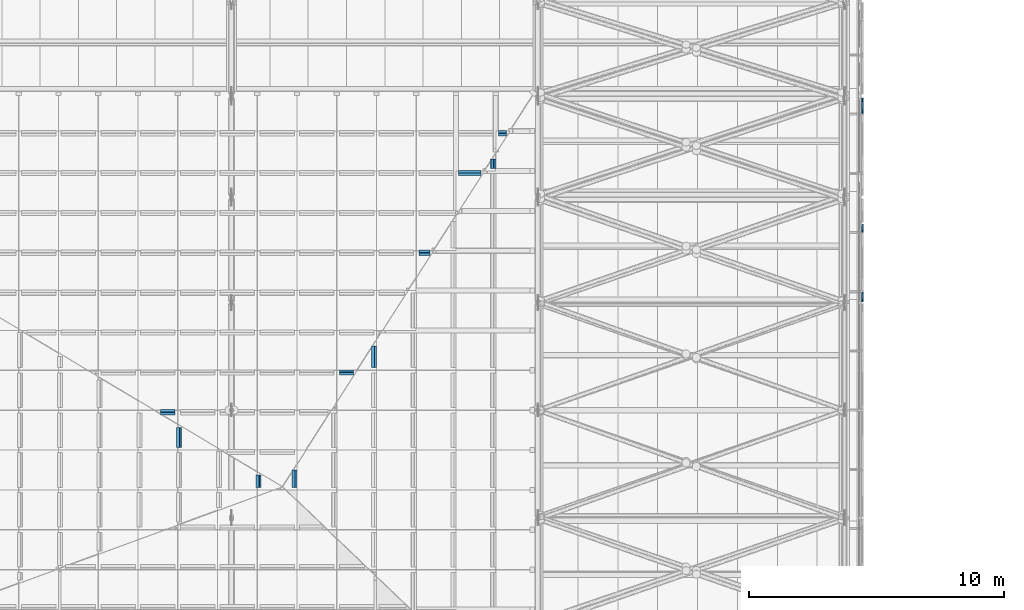
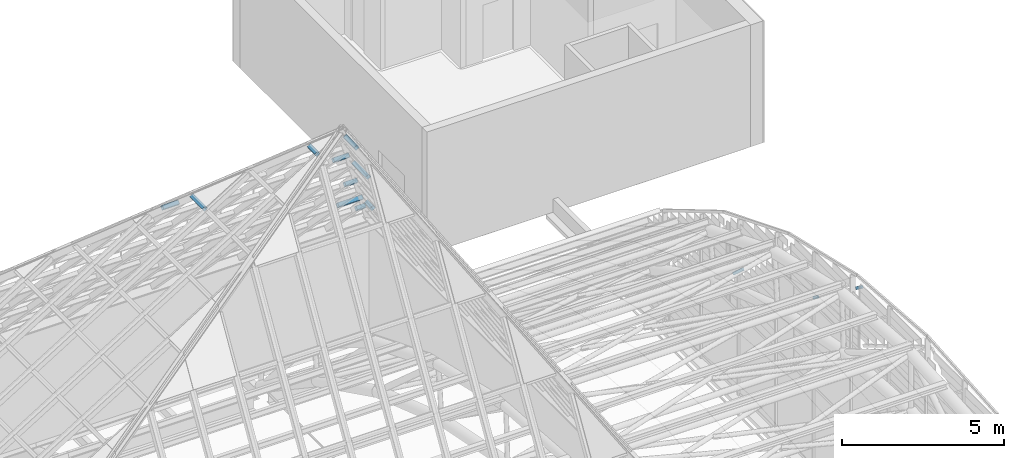
# One storey, part 49 of 110: 13 members, 1 element without a shape of its own.
"""IFC4 building model written with IfcOpenShell, lengths in metres."""

from ifc_helpers import new_model, si_unit, direction, frame, origin, origin_2d, place, context, subcontext, project, spatial, rectangle, hollow_rectangle, extrude, material, layer, layer_set, material_profile, profile_set, type_object, element, aggregate, save


model = new_model("IFC4")

# Units and contexts
model_context = context("Model", 3, precision=1e-05, world=origin(), true_north=direction((0.0, 1.0)))
body_context = subcontext(model_context, "Body", "Model", "MODEL_VIEW")
ifc_project = project(units=[si_unit("LENGTHUNIT", "METRE"), si_unit("AREAUNIT", "SQUARE_METRE"), si_unit("VOLUMEUNIT", "CUBIC_METRE"), si_unit("PLANEANGLEUNIT", "RADIAN"), si_unit("MASSUNIT", "GRAM", prefix="KILO")], contexts=[model_context])

# Site, building, storey
site_placement = place(None, origin())
site = spatial("IfcSite", under=ifc_project, at=site_placement, CompositionType="ELEMENT")
building_placement = place(site_placement, origin())
building = spatial("IfcBuilding", under=site, at=building_placement, Name="Windward Yard Aquatics Centre", CompositionType="ELEMENT")
storey_placement = place(building_placement, frame((0.0, 0.0, 22.60009765625)))
storey = spatial("IfcBuildingStorey", under=building, at=storey_placement, Name="L05", CompositionType="ELEMENT", Elevation=22.60009765625)

# Curtain wall, members
ifc_material_1 = material(Name="Glass and aluminium curtain wall", Category="aluminium")
ifc_layer = layer(ifc_material_1, 0.179931640625)
ifc_layer_set = layer_set([ifc_layer], Name="H gable glazing system double glazed 8+16+8")
curtain_wall_type = type_object("IfcCurtainWallType", Name="H gable glazing system double glazed 8+16+8", PredefinedType="NOTDEFINED", material=ifc_layer_set)
curtain_wall_placement = place(storey_placement, origin())
curtain_wall = element("IfcCurtainWall", 1, at=curtain_wall_placement, inside=storey, type_object=curtain_wall_type, Name="Gable glazing E", PredefinedType="NOTDEFINED")
ifc_material_2 = material(Name="Aluminium 6063-T6 anodised", Category="aluminium")
ifc_material_profile_1 = material_profile(ifc_material_2, rectangle(XDim=0.06494140625, YDim=0.10009765625, at=origin_2d()), Name="H CW transom 65x100")
ifc_profile_set_1 = profile_set([ifc_material_profile_1], Name="Aluminium 6063-T6 anodised")
member_type_1 = type_object("IfcMemberType", Name="H CW transom 65x100", PredefinedType="USERDEFINED", material=ifc_profile_set_1)
member_1_placement = place(storey_placement, frame((144.71240234375, 65.2685546875, 8.4697265625), z_axis=(0.0, 0.802362534733, -0.596836965055), x_axis=(-1.0, 0.0, 0.0)))
member_1 = element("IfcMember", 2, at=member_1_placement, type_object=member_type_1, Name="Gable cover strip 7.1", ObjectType="COVER STRIP", PredefinedType="USERDEFINED", context=body_context, shape_type="SweptSolid", body=[
    extrude(rectangle(XDim=0.06494140625, YDim=0.10009765625, at=origin_2d()), origin(), (0.0, 0.0, 1.0), 0.42041015625),
])
member_2_placement = place(storey_placement, frame((144.71240234375, 67.990234375, 6.445556640625), z_axis=(0.0, 0.802672555451, -0.596419960033), x_axis=(-1.0, 0.0, 0.0)))
member_2 = element("IfcMember", 3, at=member_2_placement, type_object=member_type_1, Name="Gable cover strip 7.3", ObjectType="COVER STRIP", PredefinedType="USERDEFINED", context=body_context, shape_type="SweptSolid", body=[
    extrude(rectangle(XDim=0.06494140625, YDim=0.10009765625, at=origin_2d()), origin(), (0.0, 0.0, 1.0), 0.327880859375),
])
member_3_placement = place(storey_placement, frame((144.71240234375, 72.628662109375, 4.670166015625), z_axis=(0.0, 0.748560831862, -0.663066121139), x_axis=(-1.0, 0.0, 0.0)))
member_3 = element("IfcMember", 4, at=member_3_placement, type_object=member_type_1, Name="Gable cover strip 8.3", ObjectType="COVER STRIP", PredefinedType="USERDEFINED", context=body_context, shape_type="SweptSolid", body=[
    extrude(rectangle(XDim=0.06494140625, YDim=0.10009765625, at=origin_2d()), origin(), (0.0, 0.0, 1.0), 0.759521484375),
])
aggregate(curtain_wall, [member_1, member_2, member_3])

# Members
ifc_material_3 = material(Name="Steel ASTM A500 Gr C", Category="steel")
ifc_material_profile_2 = material_profile(ifc_material_3, hollow_rectangle(XDim=0.15234375, YDim=0.15234375, WallThickness=0.009521484375, InnerFilletRadius=0.004638671875, OuterFilletRadius=0.01416015625, at=origin_2d()), Name="HSS152X152X9.5")
ifc_profile_set_2 = profile_set([ifc_material_profile_2], Name="Steel ASTM A500 Gr C")
member_type_2 = type_object("IfcMemberType", Name="H lantern purlin HSS152X152X9.5", PredefinedType="PURLIN", material=ifc_profile_set_2)
member_4_placement = place(storey_placement, frame((130.248046875, 70.828369140625, 13.350830078125), z_axis=(0.0, -1.0, 0.0), x_axis=(0.526172366974, 0.0, -0.850377939644)))
element("IfcMember", 5, at=member_4_placement, inside=storey, type_object=member_type_2, Name="H.LN.U.02.01.01", PredefinedType="PURLIN", context=body_context, shape_type="SweptSolid", body=[
    extrude(hollow_rectangle(XDim=0.15234375, YDim=0.15234375, WallThickness=0.009521484375, InnerFilletRadius=0.004638671875, OuterFilletRadius=0.01416015625, at=origin_2d()), origin(), (0.0, 0.0, 1.0), 0.359619140625),
])
member_5_placement = place(storey_placement, frame((125.57861328125, 63.5224609375, 20.897705078125), z_axis=(0.0, -1.0, 0.0), x_axis=(0.526172366974, 0.0, -0.850377939644)))
element("IfcMember", 6, at=member_5_placement, inside=storey, type_object=member_type_2, Name="H.LN.U.02.04.01", PredefinedType="PURLIN", context=body_context, shape_type="SweptSolid", body=[
    extrude(hollow_rectangle(XDim=0.15234375, YDim=0.15234375, WallThickness=0.009521484375, InnerFilletRadius=0.004638671875, OuterFilletRadius=0.01416015625, at=origin_2d()), origin(), (0.0, 0.0, 1.0), 0.859619140625),
])
member_6_placement = place(storey_placement, frame((122.465576171875, 58.651611328125, 25.9287109375), z_axis=(0.0, -1.0, 0.0), x_axis=(0.526172366974, 0.0, -0.850377939644)))
element("IfcMember", 7, at=member_6_placement, inside=storey, type_object=member_type_2, Name="H.LN.U.02.06.01", PredefinedType="PURLIN", context=body_context, shape_type="SweptSolid", body=[
    extrude(hollow_rectangle(XDim=0.15234375, YDim=0.15234375, WallThickness=0.009521484375, InnerFilletRadius=0.004638671875, OuterFilletRadius=0.01416015625, at=origin_2d()), origin(), (0.0, 0.0, 1.0), 0.67236328125),
])
member_7_placement = place(storey_placement, frame((130.445068359375, 71.84765625, 12.4287109375), z_axis=(1.0, 0.0, 0.0), x_axis=(0.0, 0.695550485066, -0.718477224917)))
element("IfcMember", 8, at=member_7_placement, inside=storey, type_object=member_type_2, Name="H.LN.U.03.01.22", PredefinedType="PURLIN", context=body_context, shape_type="SweptSolid", body=[
    extrude(hollow_rectangle(XDim=0.15234375, YDim=0.15234375, WallThickness=0.009521484375, InnerFilletRadius=0.004638671875, OuterFilletRadius=0.01416015625, at=origin_2d()), origin(), (0.0, 0.0, 1.0), 0.312744140625),
])
member_8_placement = place(storey_placement, frame((128.888671875, 70.28662109375, 14.04150390625), z_axis=(1.0, 0.0, 0.0), x_axis=(0.0, 0.695550485066, -0.718477224917)))
element("IfcMember", 9, at=member_8_placement, inside=storey, type_object=member_type_2, Name="H.LN.U.03.02.19", PredefinedType="PURLIN", context=body_context, shape_type="SweptSolid", body=[
    extrude(hollow_rectangle(XDim=0.15234375, YDim=0.15234375, WallThickness=0.009521484375, InnerFilletRadius=0.004638671875, OuterFilletRadius=0.01416015625, at=origin_2d()), origin(), (0.0, 0.0, 1.0), 0.871337890625),
])
member_9_placement = place(storey_placement, frame((127.33203125, 67.1640625, 17.266845703125), z_axis=(1.0, 0.0, 0.0), x_axis=(0.0, 0.695550485066, -0.718477224917)))
element("IfcMember", 10, at=member_9_placement, inside=storey, type_object=member_type_2, Name="H.LN.U.03.04.15", PredefinedType="PURLIN", context=body_context, shape_type="SweptSolid", body=[
    extrude(hollow_rectangle(XDim=0.15234375, YDim=0.15234375, WallThickness=0.009521484375, InnerFilletRadius=0.004638671875, OuterFilletRadius=0.01416015625, at=origin_2d()), origin(), (0.0, 0.0, 1.0), 0.432373046875),
])
member_10_placement = place(storey_placement, frame((124.218994140625, 62.480712890625, 22.104736328125), z_axis=(1.0, 0.0, 0.0), x_axis=(0.0, 0.695550485066, -0.718477224917)))
element("IfcMember", 11, at=member_10_placement, inside=storey, type_object=member_type_2, Name="H.LN.U.03.07.08", PredefinedType="PURLIN", context=body_context, shape_type="SweptSolid", body=[
    extrude(hollow_rectangle(XDim=0.15234375, YDim=0.15234375, WallThickness=0.009521484375, InnerFilletRadius=0.004638671875, OuterFilletRadius=0.01416015625, at=origin_2d()), origin(), (0.0, 0.0, 1.0), 0.552001953125),
])
member_11_placement = place(storey_placement, frame((117.220703125, 60.91943359375, 23.71728515625), z_axis=(1.0, 0.0, 0.0), x_axis=(0.0, 0.695550485066, -0.718477224917)))
element("IfcMember", 12, at=member_11_placement, inside=storey, type_object=member_type_2, Name="H.LN.U.03.08.01", PredefinedType="PURLIN", context=body_context, shape_type="SweptSolid", body=[
    extrude(hollow_rectangle(XDim=0.15234375, YDim=0.15234375, WallThickness=0.009521484375, InnerFilletRadius=0.004638671875, OuterFilletRadius=0.01416015625, at=origin_2d()), origin(), (0.0, 0.0, 1.0), 0.569091796875),
])
member_12_placement = place(storey_placement, frame((117.9501953125, 59.540283203125, 24.260498046875), z_axis=(0.0, 1.0, 0.0), x_axis=(-0.850755160219, 0.0, -0.525562229771)))
element("IfcMember", 13, at=member_12_placement, inside=storey, type_object=member_type_2, Name="H.LN.U.04.14.03", PredefinedType="PURLIN", context=body_context, shape_type="SweptSolid", body=[
    extrude(hollow_rectangle(XDim=0.15234375, YDim=0.15234375, WallThickness=0.009521484375, InnerFilletRadius=0.004638671875, OuterFilletRadius=0.01416015625, at=origin_2d()), origin(), (0.0, 0.0, 1.0), 0.775146484375),
])
member_13_placement = place(storey_placement, frame((121.063232421875, 57.979248046875, 26.18359375), z_axis=(0.0, 1.0, 0.0), x_axis=(-0.850755160219, 0.0, -0.525562229771)))
element("IfcMember", 14, at=member_13_placement, inside=storey, type_object=member_type_2, Name="H.LN.U.04.16.02", PredefinedType="PURLIN", context=body_context, shape_type="SweptSolid", body=[
    extrude(hollow_rectangle(XDim=0.15234375, YDim=0.15234375, WallThickness=0.009521484375, InnerFilletRadius=0.004638671875, OuterFilletRadius=0.01416015625, at=origin_2d()), origin(), (0.0, 0.0, 1.0), 0.474609375),
])

save(model, "model.ifc")
